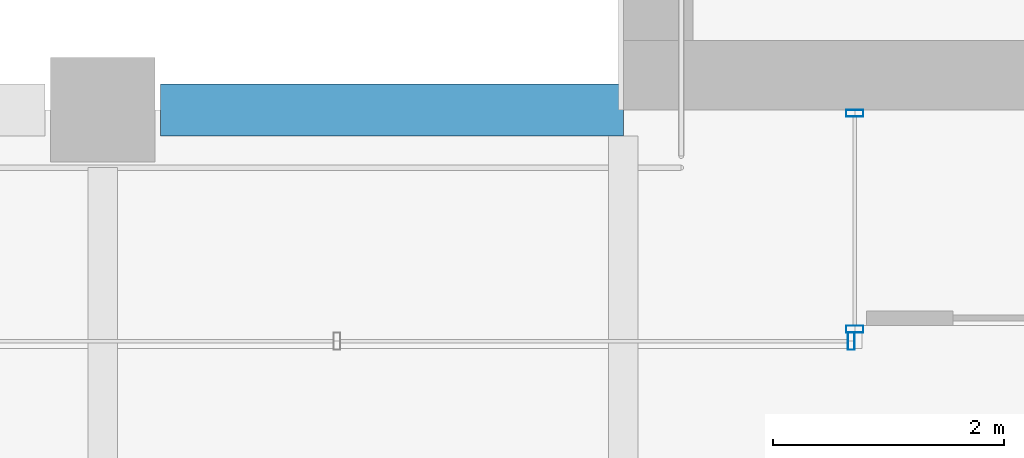
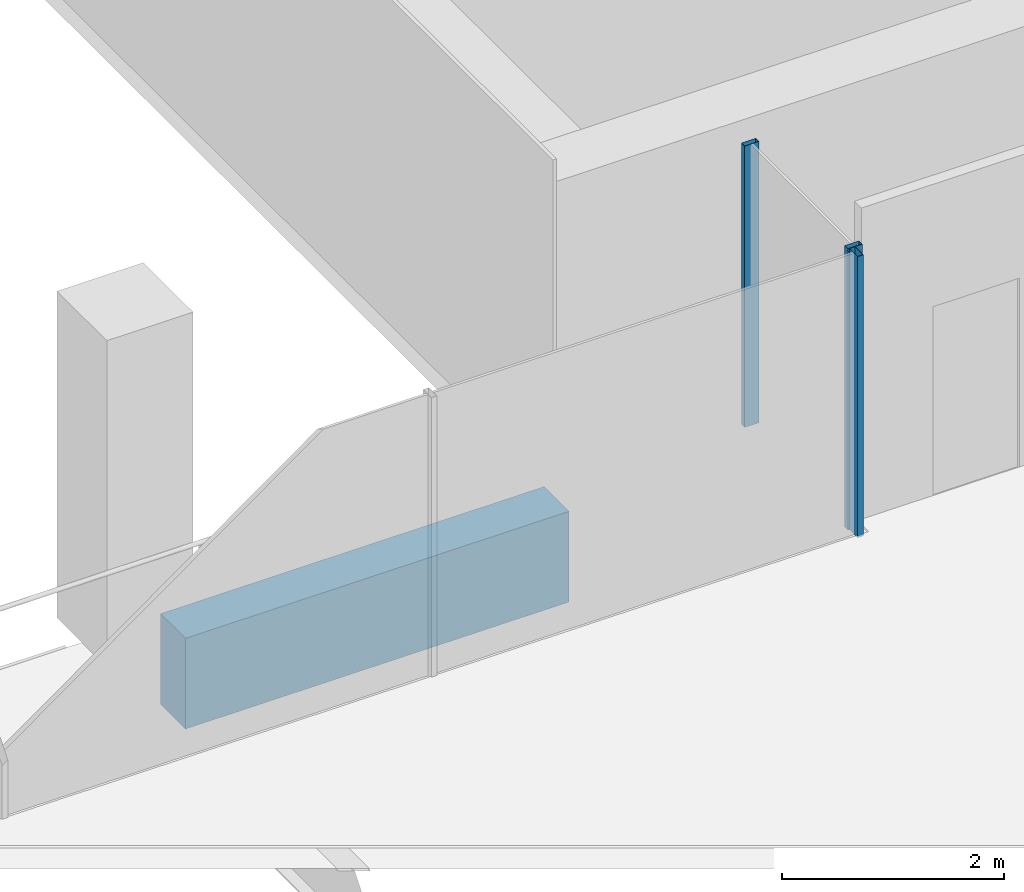
# One storey, part 6 of 44: 3 members, 1 beam, 2 elements without a shape of their own.
"""IFC4 building model written with IfcOpenShell, lengths in metres."""

from ifc_helpers import new_model, si_unit, direction, frame, origin, origin_2d, place, context, subcontext, project, spatial, rectangle, hollow_rectangle, extrude, material, material_profile, profile_set, type_object, element, aggregate, save


model = new_model("IFC4")

# Units and contexts
model_context = context("Model", 3, precision=1e-05, world=origin(), true_north=direction((0.0, 1.0)))
body_context = subcontext(model_context, "Body", "Model", "MODEL_VIEW")
ifc_project = project(units=[si_unit("LENGTHUNIT", "METRE"), si_unit("AREAUNIT", "SQUARE_METRE"), si_unit("VOLUMEUNIT", "CUBIC_METRE"), si_unit("PLANEANGLEUNIT", "RADIAN"), si_unit("MASSUNIT", "GRAM", prefix="KILO")], contexts=[model_context])

# Site, building, storey
site_placement = place(None, origin())
site = spatial("IfcSite", under=ifc_project, at=site_placement, CompositionType="ELEMENT")
building_placement = place(site_placement, origin())
building = spatial("IfcBuilding", under=site, at=building_placement, Name="Altepetl Exchange Towers", CompositionType="ELEMENT")
storey_placement = place(building_placement, frame((0.0, 0.0, 143.800048828125)))
storey = spatial("IfcBuildingStorey", under=building, at=storey_placement, Name="L35", CompositionType="ELEMENT", Elevation=143.800048828125)

# Curtain wall, members
ifc_material_1 = material(Name="Aluminium 6063-T6 glazing", Category="aluminium")
curtain_wall_type = type_object("IfcCurtainWallType", Name="Loggia glazing system", PredefinedType="NOTDEFINED", material=ifc_material_1)
curtain_wall_1_placement = place(storey_placement, origin())
curtain_wall_1 = element("IfcCurtainWall", 1, at=curtain_wall_1_placement, inside=storey, type_object=curtain_wall_type, Name="CW1 run", PredefinedType="NOTDEFINED")
ifc_material_2 = material(Name="Aluminium 6063-T6", Category="aluminium")
ifc_material_profile_1 = material_profile(ifc_material_2, hollow_rectangle(XDim=0.06005859375, YDim=0.14990234375, WallThickness=0.0029296875, at=origin_2d()), Name="Mullion 60x150 aluminium")
ifc_profile_set_1 = profile_set([ifc_material_profile_1], Name="Aluminium 6063-T6")
member_type = type_object("IfcMemberType", Name="Mullion 60x150 aluminium", PredefinedType="MULLION", material=ifc_profile_set_1)
member_1_placement = place(storey_placement, frame((42.5, 40.469970703125, 0.0), z_axis=(0.0, 0.0, 1.0), x_axis=(0.0, -1.0, 0.0)))
member_1 = element("IfcMember", 2, at=member_1_placement, type_object=member_type, Name="MU1 mullion", PredefinedType="MULLION", context=body_context, shape_type="SweptSolid", body=[
    extrude(hollow_rectangle(XDim=0.06005859375, YDim=0.14990234375, WallThickness=0.0029296875, at=origin_2d()), origin(), (0.0, 0.0, 1.0), 3.099853515625),
])
member_2_placement = place(storey_placement, frame((42.5, 38.60498046875, 0.0), z_axis=(0.0, 0.0, 1.0), x_axis=(0.0, -1.0, 0.0)))
member_2 = element("IfcMember", 3, at=member_2_placement, type_object=member_type, Name="MU1 mullion", PredefinedType="MULLION", context=body_context, shape_type="SweptSolid", body=[
    extrude(hollow_rectangle(XDim=0.06005859375, YDim=0.14990234375, WallThickness=0.0029296875, at=origin_2d()), origin(), (0.0, 0.0, 1.0), 3.099853515625),
])
aggregate(curtain_wall_1, [member_1, member_2])

# Curtain wall, member
curtain_wall_2_placement = place(storey_placement, origin())
curtain_wall_2 = element("IfcCurtainWall", 4, at=curtain_wall_2_placement, inside=storey, type_object=curtain_wall_type, Name="CW1 run", PredefinedType="NOTDEFINED")
member_3_placement = place(storey_placement, frame((42.469970703125, 38.5, 0.0), z_axis=(0.0, 0.0, 1.0), x_axis=(-1.0, 0.0, 0.0)))
member_3 = element("IfcMember", 5, at=member_3_placement, type_object=member_type, Name="MU1 mullion", PredefinedType="MULLION", context=body_context, shape_type="SweptSolid", body=[
    extrude(hollow_rectangle(XDim=0.06005859375, YDim=0.14990234375, WallThickness=0.0029296875, at=origin_2d()), origin(), (0.0, 0.0, 1.0), 3.099853515625),
])
aggregate(curtain_wall_2, [member_3])

# Beam
ifc_material_3 = material(Name="Concrete C50/60 precast with tezontle facing", Category="concrete")
ifc_material_profile_2 = material_profile(ifc_material_3, rectangle(XDim=0.449951171875, YDim=1.0, at=origin_2d()), Name="450 x 1000")
ifc_profile_set_2 = profile_set([ifc_material_profile_2], Name="Concrete C50/60 precast with tezontle facing")
beam_type = type_object("IfcBeamType", Name="Spandrel beam 450x1000 tezontle", PredefinedType="SPANDREL", material=ifc_profile_set_2)
beam_placement = place(storey_placement, frame((40.5, 40.5, -0.650146484375), z_axis=(-1.0, 0.0, 0.0), x_axis=(0.0, -1.0, 0.0)))
element("IfcBeam", 6, at=beam_placement, inside=storey, type_object=beam_type, Name="sp:A:L35:033", PredefinedType="SPANDREL", context=body_context, shape_type="SweptSolid", body=[
    extrude(rectangle(XDim=0.449951171875, YDim=1.0, at=origin_2d()), origin(), (0.0, 0.0, 1.0), 4.0),
])

save(model, "model.ifc")
